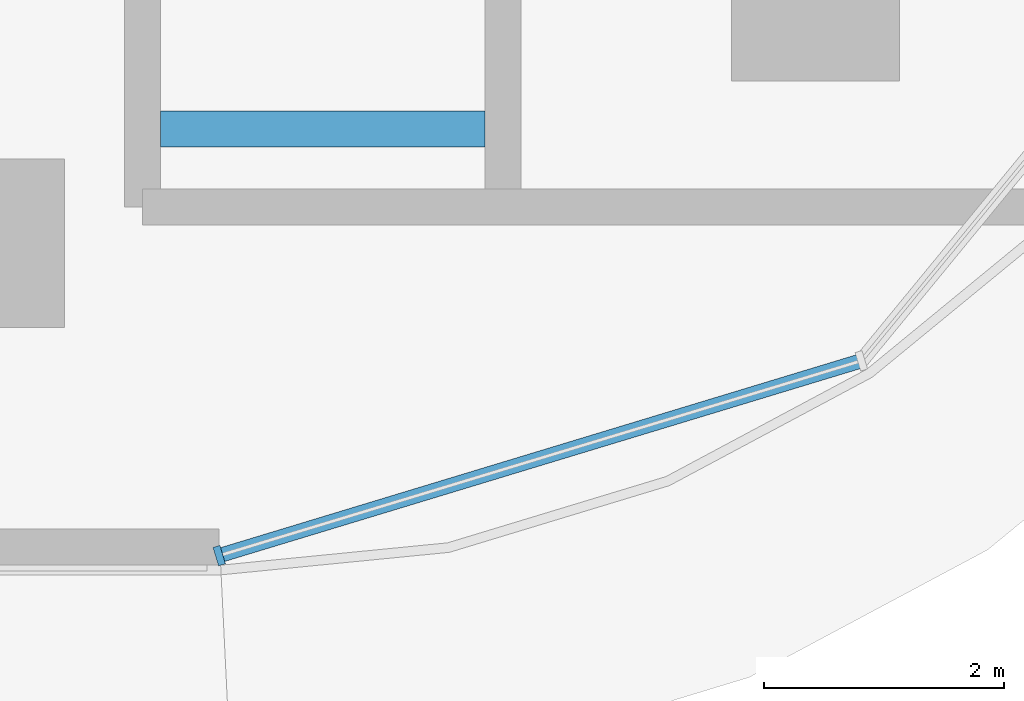
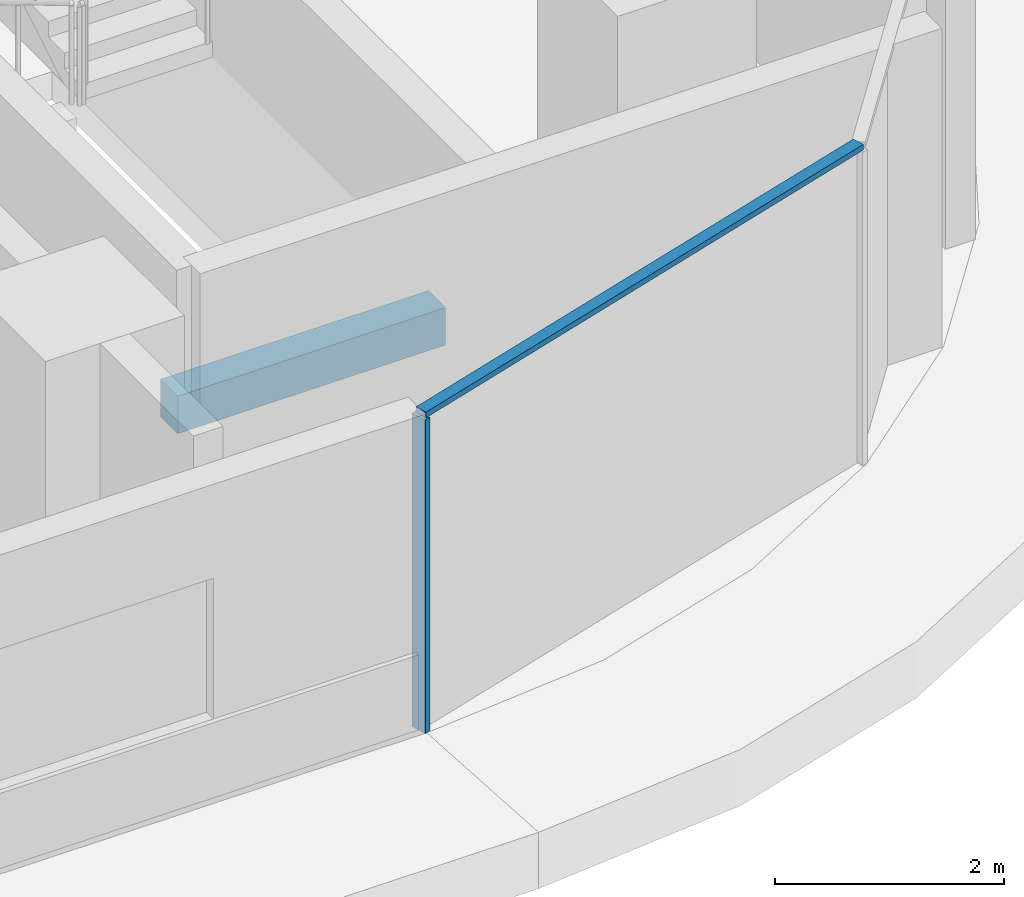
# One storey, part 3 of 36: 2 members, 1 beam, 1 element without a shape of its own.
"""IFC4 building model written with IfcOpenShell, lengths in metres."""

from ifc_helpers import new_model, si_unit, direction, frame, origin, origin_2d, place, context, subcontext, project, spatial, rectangle, extrude, material, material_profile, profile_set, type_object, element, aggregate, save


model = new_model("IFC4")

# Units and contexts
model_context = context("Model", 3, precision=1e-05, world=origin(), true_north=direction((0.0, 1.0)))
body_context = subcontext(model_context, "Body", "Model", "MODEL_VIEW")
ifc_project = project(units=[si_unit("LENGTHUNIT", "METRE"), si_unit("AREAUNIT", "SQUARE_METRE"), si_unit("VOLUMEUNIT", "CUBIC_METRE"), si_unit("PLANEANGLEUNIT", "RADIAN"), si_unit("MASSUNIT", "GRAM", prefix="KILO")], contexts=[model_context])

# Site, building, storey
site_placement = place(None, origin())
site = spatial("IfcSite", under=ifc_project, at=site_placement, CompositionType="ELEMENT")
building_placement = place(site_placement, origin())
building = spatial("IfcBuilding", under=site, at=building_placement, Name="Ogive Portal Towers", CompositionType="ELEMENT")
storey_placement = place(building_placement, frame((0.0, 0.0, 63.10009765625)))
storey = spatial("IfcBuildingStorey", under=building, at=storey_placement, Name="L14", CompositionType="ELEMENT", Elevation=63.10009765625)

# Beam
ifc_material_1 = material(Name="Concrete C40/50", Category="concrete")
ifc_material_profile_1 = material_profile(ifc_material_1, rectangle(XDim=0.300048828125, YDim=0.39990234375, at=origin_2d()), Name="RC 300x400")
ifc_profile_set_1 = profile_set([ifc_material_profile_1], Name="Concrete C40/50")
beam_type = type_object("IfcBeamType", Name="BEAM RC 300x400", PredefinedType="BEAM", material=ifc_profile_set_1)
beam_placement = place(storey_placement, frame((87.0, 22.449951171875, 1.449951171875), z_axis=(1.0, 0.0, 0.0), x_axis=(0.0, 1.0, 0.0)))
element("IfcBeam", 1, at=beam_placement, inside=storey, type_object=beam_type, Name="Landing beam L14", PredefinedType="BEAM", context=body_context, shape_type="SweptSolid", body=[
    extrude(rectangle(XDim=0.300048828125, YDim=0.39990234375, at=origin_2d()), origin(), (0.0, 0.0, 1.0), 2.699951171875),
])

# Curtain wall, members
ifc_material_2 = material(Name="Glass, clear low-iron insulated glazing", Category="glass")
curtain_wall_type = type_object("IfcCurtainWallType", Name="CW FRONT RIBBON 4500", PredefinedType="NOTDEFINED", material=ifc_material_2)
curtain_wall_placement = place(storey_placement, origin())
curtain_wall = element("IfcCurtainWall", 2, at=curtain_wall_placement, inside=storey, type_object=curtain_wall_type, Name="A:L14:f09:cwa", PredefinedType="NOTDEFINED")
ifc_material_3 = material(Name="Aluminium 6063 anodised", Category="aluminium")
ifc_material_profile_2 = material_profile(ifc_material_3, rectangle(XDim=0.159912109375, YDim=0.06005859375, at=origin_2d()), Name="AL 60x160")
ifc_profile_set_2 = profile_set([ifc_material_profile_2], Name="Aluminium 6063 anodised")
member_type_1 = type_object("IfcMemberType", Name="CW MULLION 60x160", PredefinedType="MULLION", material=ifc_profile_set_2)
member_1_placement = place(storey_placement, frame((87.488037109375, 18.89990234375, 0.0), z_axis=(0.0, 0.0, 1.0), x_axis=(-0.290284677254, 0.956940335732, 0.0)))
member_1 = element("IfcMember", 3, at=member_1_placement, type_object=member_type_1, Name="mullion", PredefinedType="MULLION", context=body_context, shape_type="SweptSolid", body=[
    extrude(rectangle(XDim=0.159912109375, YDim=0.06005859375, at=origin_2d()), origin(), (0.0, 0.0, 1.0), 3.33984375),
])
ifc_material_profile_3 = material_profile(ifc_material_3, rectangle(XDim=0.1201171875, YDim=0.06005859375, at=origin_2d()), Name="AL 120x60")
ifc_profile_set_3 = profile_set([ifc_material_profile_3], Name="Aluminium 6063 anodised")
member_type_2 = type_object("IfcMemberType", Name="CW TRANSOM 60x120", PredefinedType="USERDEFINED", material=ifc_profile_set_3)
member_2_placement = place(storey_placement, frame((87.488037109375, 18.89990234375, 3.369873046875), z_axis=(0.956932427214, 0.290310746868, 0.0), x_axis=(-0.290310746868, 0.956932427214, 0.0)))
member_2 = element("IfcMember", 4, at=member_2_placement, type_object=member_type_2, Name="transom", ObjectType="TRANSOM", PredefinedType="USERDEFINED", context=body_context, shape_type="SweptSolid", body=[
    extrude(rectangle(XDim=0.1201171875, YDim=0.06005859375, at=origin_2d()), origin(), (0.0, 0.0, 1.0), 5.583984375),
])
aggregate(curtain_wall, [member_2, member_1])

save(model, "model.ifc")
